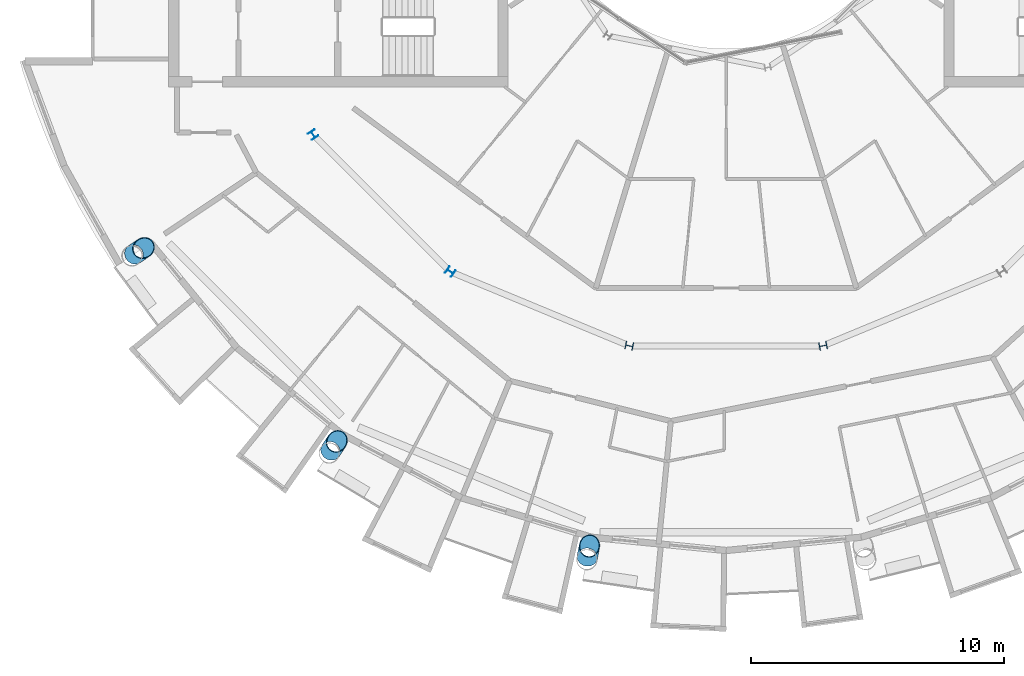
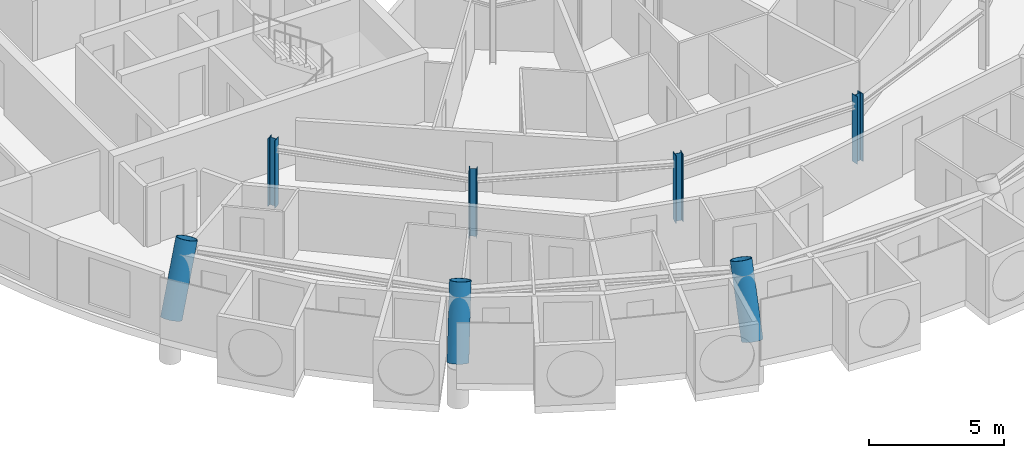
# One storey, part 1 of 28: 7 columns.
"""IFC4 building model written with IfcOpenShell, lengths in metres."""

from ifc_helpers import new_model, si_unit, direction, frame, origin, origin_2d, place, context, subcontext, project, spatial, hollow_circle, i_section, extrude, material, material_profile, profile_set, type_object, element, save


model = new_model("IFC4")

# Units and contexts
model_context = context("Model", 3, precision=1e-05, world=origin(), true_north=direction((0.0, 1.0)))
body_context = subcontext(model_context, "Body", "Model", "MODEL_VIEW")
ifc_project = project(units=[si_unit("LENGTHUNIT", "METRE"), si_unit("AREAUNIT", "SQUARE_METRE"), si_unit("VOLUMEUNIT", "CUBIC_METRE"), si_unit("PLANEANGLEUNIT", "RADIAN"), si_unit("MASSUNIT", "GRAM", prefix="KILO")], contexts=[model_context])

# Site, building, storey
site_placement = place(None, origin())
site = spatial("IfcSite", under=ifc_project, at=site_placement, CompositionType="ELEMENT")
building_placement = place(site_placement, origin())
building = spatial("IfcBuilding", under=site, at=building_placement, Name="Maasbend Ring Residences", CompositionType="ELEMENT")
storey_placement = place(building_placement, frame((0.0, 0.0, 231.0)))
storey = spatial("IfcBuildingStorey", under=building, at=storey_placement, Name="L66", CompositionType="ELEMENT", Elevation=231.0)

# Columns
ifc_material_1 = material(Name="Composite concrete-filled steel tube S460NH / C80/95", Category="concrete")
ifc_material_profile_1 = material_profile(ifc_material_1, hollow_circle(Radius=0.406494140625, WallThickness=0.030029296875, at=origin_2d()), Name="Composite tube column CHS 813x30")
ifc_profile_set_1 = profile_set([ifc_material_profile_1], Name="Composite concrete-filled steel tube S460NH / C80/95")
column_type_1 = type_object("IfcColumnType", Name="Composite tube column CHS 813x30", PredefinedType="COLUMN", material=ifc_profile_set_1)
for number, where, z_axis, x_axis, name in (
    (1, (-23.35498046875, -15.60546875, 0.24169921875), (0.34678068763, 0.231740204333, 0.908867224837), (-0.555617898073, 0.831437761556, 0.0), "Outer column R10"),
    (2, (-15.60546875, -23.35498046875, 0.24169921875), (0.231740204333, 0.34678068763, 0.908867224837), (-0.831437761556, 0.555617898073, 0.0), "Outer column R11"),
):
    element("IfcColumn", number, at=place(storey_placement, frame(where, z_axis=z_axis, x_axis=x_axis)), inside=storey, type_object=column_type_1, Name=name, PredefinedType="COLUMN", context=body_context, shape_type="SweptSolid", body=[
        extrude(hollow_circle(Radius=0.406494140625, WallThickness=0.030029296875, at=origin_2d()), origin(), (0.0, 0.0, 1.0), 3.08984375),
    ])
column_placement = place(storey_placement, frame((-5.479736328125, -27.54931640625, 0.24169921875), z_axis=(0.081298824586, 0.40918038147, 0.908824469598), x_axis=(-0.9808275518, 0.194877688898, 0.0)))
element("IfcColumn", 3, at=column_placement, inside=storey, type_object=column_type_1, Name="Outer column R12", PredefinedType="COLUMN", context=body_context, shape_type="SweptSolid", body=[
    extrude(hollow_circle(Radius=0.406494140625, WallThickness=0.030029296875, at=origin_2d()), origin(), (0.0, 0.0, 1.0), 3.090087890625),
])
ifc_material_2 = material(Name="Steel S355J2", Category="steel")
ifc_material_profile_2 = material_profile(ifc_material_2, i_section(OverallWidth=0.300048828125, OverallDepth=0.300048828125, WebThickness=0.010986328125, FlangeThickness=0.01904296875, FilletRadius=0.027099609375, at=origin_2d()), Name="HEB 300")
ifc_profile_set_2 = profile_set([ifc_material_profile_2], Name="Steel S355J2")
column_type_2 = type_object("IfcColumnType", Name="Steel column HEB 300", PredefinedType="COLUMN", material=ifc_profile_set_2)
for number, where, z_axis, x_axis, name in (
    (4, (-16.296875, -10.88916015625, 0.0), (0.0, 0.0, 1.0), (-0.831469612303, -0.55557023302, 0.0), "Corridor ring column R10"),
    (5, (-10.88916015625, -16.296875, 0.0), (0.0, 0.0, 1.0), (-0.55557023302, -0.831469612303, 0.0), "Corridor ring column R11"),
    (6, (-3.82373046875, -19.223388671875, 0.0), (0.0, 0.0, 1.0), (-0.195090322016, -0.980785280403, 0.0), "Corridor ring column R12"),
    (7, (3.82373046875, -19.223388671875, 0.0), (0.0, 0.0, 1.0), (0.195090322016, -0.980785280403, 0.0), "Corridor ring column R13"),
):
    element("IfcColumn", number, at=place(storey_placement, frame(where, z_axis=z_axis, x_axis=x_axis)), inside=storey, type_object=column_type_2, Name=name, PredefinedType="COLUMN", context=body_context, shape_type="SweptSolid", body=[
        extrude(i_section(OverallWidth=0.300048828125, OverallDepth=0.300048828125, WebThickness=0.010986328125, FlangeThickness=0.01904296875, FilletRadius=0.027099609375, at=origin_2d()), origin(), (0.0, 0.0, 1.0), 3.050048828125),
    ])

save(model, "model.ifc")
